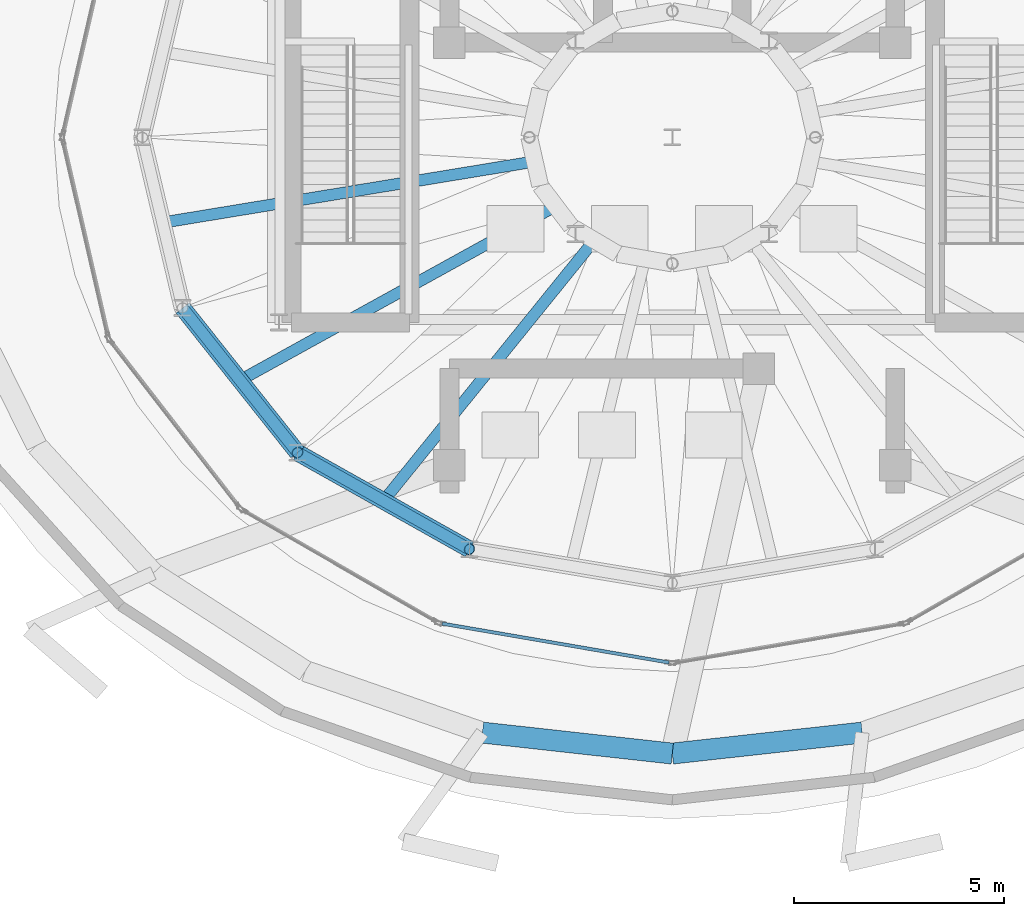
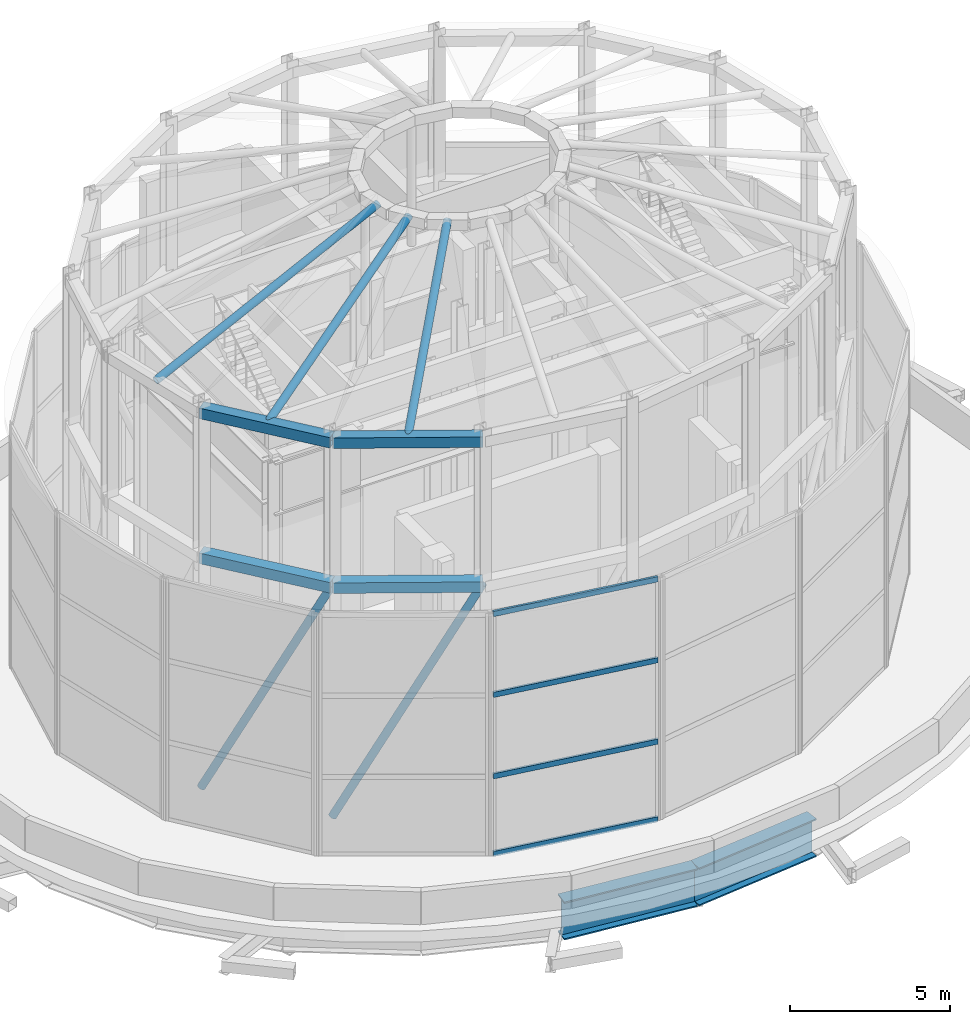
# One storey, part 4 of 22: 9 members, 6 beams, 1 element without a shape of its own.
"""IFC4 building model written with IfcOpenShell, lengths in metres."""

from ifc_helpers import new_model, si_unit, direction, frame, origin, origin_2d, place, context, subcontext, project, spatial, hollow_rectangle, hollow_circle, i_section, extrude, material, layer, layer_set, material_profile, profile_set, type_object, element, aggregate, save


model = new_model("IFC4")

# Units and contexts
model_context = context("Model", 3, precision=1e-05, world=origin(), true_north=direction((0.0, 1.0)))
body_context = subcontext(model_context, "Body", "Model", "MODEL_VIEW")
ifc_project = project(units=[si_unit("LENGTHUNIT", "METRE"), si_unit("AREAUNIT", "SQUARE_METRE"), si_unit("VOLUMEUNIT", "CUBIC_METRE"), si_unit("PLANEANGLEUNIT", "RADIAN"), si_unit("MASSUNIT", "GRAM", prefix="KILO")], contexts=[model_context])

# Site, building, storey
site_placement = place(None, origin())
site = spatial("IfcSite", under=ifc_project, at=site_placement, CompositionType="ELEMENT")
building_placement = place(site_placement, origin())
building = spatial("IfcBuilding", under=site, at=building_placement, Name="Nuhasar Tower", CompositionType="ELEMENT")
storey_placement = place(building_placement, frame((0.0, 0.0, 313.39990234375)))
storey = spatial("IfcBuildingStorey", under=building, at=storey_placement, Name="Roof Drum", CompositionType="ELEMENT", Elevation=313.39990234375)

# Beams
ifc_material_1 = material(Name="Steel S355", Category="steel")
ifc_material_profile_1 = material_profile(ifc_material_1, hollow_rectangle(XDim=0.39990234375, YDim=0.39990234375, WallThickness=0.01611328125, at=origin_2d()), Name="HSS400X400X16")
ifc_profile_set_1 = profile_set([ifc_material_profile_1], Name="Steel S355")
beam_type_1 = type_object("IfcBeamType", Name="BM-CRN-HSS400", PredefinedType="SPANDREL", material=ifc_profile_set_1)
for number, where, z_axis, x_axis, name in (
    (1, (27.35888671875, 22.743896484375, 9.02001953125), (0.621918241488, -0.783082180173, 0.0), (0.783082180173, 0.621918241488, 0.0), "Crown Drum Eave Ring Beam 10"),
    (2, (27.35888671875, 22.743896484375, 14.5400390625), (0.621918241488, -0.783082180173, 0.0), (0.783082180173, 0.621918241488, 0.0), "Crown Drum Top Ring Beam 10"),
):
    element("IfcBeam", number, at=place(storey_placement, frame(where, z_axis=z_axis, x_axis=x_axis)), inside=storey, type_object=beam_type_1, Name=name, PredefinedType="SPANDREL", context=body_context, shape_type="SweptSolid", body=[
        extrude(hollow_rectangle(XDim=0.39990234375, YDim=0.39990234375, WallThickness=0.01611328125, at=origin_2d()), origin(), (0.0, 0.0, 1.0), 4.3916015625),
    ])
for number, where, z_axis, x_axis, name in (
    (3, (30.090087890625, 19.304931640625, 9.02001953125), (0.871720097716, -0.490004154306, 0.0), (0.490004154306, 0.871720097716, 0.0), "Crown Drum Eave Ring Beam 11"),
    (4, (30.090087890625, 19.304931640625, 14.5400390625), (0.871720097716, -0.490004154306, 0.0), (0.490004154306, 0.871720097716, 0.0), "Crown Drum Top Ring Beam 11"),
):
    element("IfcBeam", number, at=place(storey_placement, frame(where, z_axis=z_axis, x_axis=x_axis)), inside=storey, type_object=beam_type_1, Name=name, PredefinedType="SPANDREL", context=body_context, shape_type="SweptSolid", body=[
        extrude(hollow_rectangle(XDim=0.39990234375, YDim=0.39990234375, WallThickness=0.01611328125, at=origin_2d()), origin(), (0.0, 0.0, 1.0), 4.689453125),
    ])
ifc_material_2 = material(Name="Steel S460", Category="steel")
ifc_material_profile_2 = material_profile(ifc_material_2, i_section(OverallWidth=0.5, OverallDepth=1.449951171875, WebThickness=0.028076171875, FlangeThickness=0.050048828125, at=origin_2d()), Name="PG1450X500")
ifc_profile_set_2 = profile_set([ifc_material_profile_2], Name="Steel S460")
beam_type_2 = type_object("IfcBeamType", Name="BM-XFER-PG1450", PredefinedType="USERDEFINED", material=ifc_profile_set_2)
for number, where, z_axis, x_axis, name in (
    (5, (34.48388671875, 12.64892578125, -1.14501953125), (0.993950391063, -0.10982995996, 0.0), (0.10982995996, 0.993950391063, 0.0), "Roof Drum Outer Setback Spandrel 18"),
    (6, (39.0, 12.14990234375, -1.14501953125), (0.993950391063, 0.10982995996, 0.0), (-0.10982995996, 0.993950391063, 0.0), "Roof Drum Outer Setback Spandrel 19"),
):
    element("IfcBeam", number, at=place(storey_placement, frame(where, z_axis=z_axis, x_axis=x_axis)), inside=storey, type_object=beam_type_2, Name=name, ObjectType="GIRDER", PredefinedType="USERDEFINED", context=body_context, shape_type="SweptSolid", body=[
        extrude(i_section(OverallWidth=0.5, OverallDepth=1.449951171875, WebThickness=0.028076171875, FlangeThickness=0.050048828125, at=origin_2d()), origin(), (0.0, 0.0, 1.0), 4.543701171875),
    ])

# Members
ifc_material_profile_3 = material_profile(ifc_material_1, hollow_circle(Radius=0.136474609375, WallThickness=0.0126953125, at=origin_2d()), Name="HSS273.1X12.7")
ifc_profile_set_3 = profile_set([ifc_material_profile_3], Name="Steel S355")
member_type_1 = type_object("IfcMemberType", Name="CRN-DIAG-273", PredefinedType="BRACE", material=ifc_profile_set_3)
member_1_placement = place(storey_placement, frame((27.35888671875, 22.743896484375, 0.2001953125), z_axis=(0.277203977474, -0.349038636516, 0.895170366518), x_axis=(0.783082180173, 0.621918241488, 0.0)))
element("IfcMember", 7, at=member_1_placement, inside=storey, type_object=member_type_1, Name="Crown Drum Frame Brace 10", PredefinedType="BRACE", context=body_context, shape_type="SweptSolid", body=[
    extrude(hollow_circle(Radius=0.136474609375, WallThickness=0.0126953125, at=origin_2d()), origin(), (0.0, 0.0, 1.0), 9.852783203125),
])
member_2_placement = place(storey_placement, frame((30.090087890625, 19.304931640625, 0.2001953125), z_axis=(0.409238918422, -0.230038025573, 0.882953008058), x_axis=(0.490004154306, 0.871720097716, 0.0)))
element("IfcMember", 8, at=member_2_placement, inside=storey, type_object=member_type_1, Name="Crown Drum Frame Brace 11", PredefinedType="BRACE", context=body_context, shape_type="SweptSolid", body=[
    extrude(hollow_circle(Radius=0.136474609375, WallThickness=0.0126953125, at=origin_2d()), origin(), (0.0, 0.0, 1.0), 9.989013671875),
])
ifc_material_profile_4 = material_profile(ifc_material_2, hollow_circle(Radius=0.136474609375, WallThickness=0.0126953125, at=origin_2d()), Name="HSS273.1X12.7")
ifc_profile_set_4 = profile_set([ifc_material_profile_4], Name="Steel S460")
member_type_2 = type_object("IfcMemberType", Name="CRN-RAFTER-273", PredefinedType="RAFTER", material=ifc_profile_set_4)
member_3_placement = place(storey_placement, frame((26.8798828125, 24.77197265625, 14.60009765625), z_axis=(0.943121969736, 0.154958191772, 0.294123968769), x_axis=(-0.162129626352, 0.986769468649, 0.0)))
element("IfcMember", 9, at=member_3_placement, inside=storey, type_object=member_type_2, Name="Crown Dome Radial Bearing Rafter 09", PredefinedType="RAFTER", context=body_context, shape_type="SweptSolid", body=[
    extrude(hollow_circle(Radius=0.136474609375, WallThickness=0.0126953125, at=origin_2d()), origin(), (0.0, 0.0, 1.0), 9.3837890625),
])
member_4_placement = place(storey_placement, frame((28.72412109375, 21.02392578125, 14.60009765625), z_axis=(0.833306491069, 0.460037678234, 0.30653813229), x_axis=(-0.483304752513, 0.875452178134, 0.0)))
element("IfcMember", 10, at=member_4_placement, inside=storey, type_object=member_type_2, Name="Crown Dome Radial Bearing Rafter 10", PredefinedType="RAFTER", context=body_context, shape_type="SweptSolid", body=[
    extrude(hollow_circle(Radius=0.136474609375, WallThickness=0.0126953125, at=origin_2d()), origin(), (0.0, 0.0, 1.0), 9.00390625),
])
member_5_placement = place(storey_placement, frame((32.134033203125, 18.156005859375, 14.60009765625), z_axis=(0.594297794312, 0.734673983978, 0.327206767871), x_axis=(-0.777471647224, 0.628917989696, 0.0)))
element("IfcMember", 11, at=member_5_placement, inside=storey, type_object=member_type_2, Name="Crown Dome Radial Bearing Rafter 11", PredefinedType="RAFTER", context=body_context, shape_type="SweptSolid", body=[
    extrude(hollow_circle(Radius=0.136474609375, WallThickness=0.0126953125, at=origin_2d()), origin(), (0.0, 0.0, 1.0), 8.43505859375),
])

# Curtain wall, members
ifc_material_3 = material(Name="Aluminium 6063-T6", Category="aluminium")
ifc_layer = layer(ifc_material_3, 0.219970703125)
ifc_layer_set = layer_set([ifc_layer], Name="Aluminium 6063-T6")
curtain_wall_type = type_object("IfcCurtainWallType", Name="CW-CROWN", PredefinedType="NOTDEFINED", material=ifc_layer_set)
curtain_wall_placement = place(storey_placement, origin())
curtain_wall = element("IfcCurtainWall", 12, at=curtain_wall_placement, inside=storey, type_object=curtain_wall_type, Name="Crown Lantern Curtain Wall 12", PredefinedType="NOTDEFINED")
ifc_material_profile_5 = material_profile(ifc_material_3, hollow_rectangle(XDim=0.080078125, YDim=0.199951171875, WallThickness=0.00439453125, at=origin_2d()), Name="CWT-7")
ifc_profile_set_5 = profile_set([ifc_material_profile_5], Name="Aluminium 6063-T6")
member_type_3 = type_object("IfcMemberType", Name="CW-TRN-S7", PredefinedType="USERDEFINED", material=ifc_profile_set_5)
member_6_placement = place(storey_placement, frame((33.52978515625, 15.238525390625, 0.0400390625), z_axis=(0.985597397755, -0.169108750627, 0.0), x_axis=(0.169108750627, 0.985597397755, 0.0)))
member_6 = element("IfcMember", 13, at=member_6_placement, type_object=member_type_3, Name="CW-CR transom 1.1", ObjectType="TRANSOM", PredefinedType="USERDEFINED", context=body_context, shape_type="SweptSolid", body=[
    extrude(hollow_rectangle(XDim=0.080078125, YDim=0.199951171875, WallThickness=0.00439453125, at=origin_2d()), origin(), (0.0, 0.0, 1.0), 5.47021484375),
])
member_7_placement = place(storey_placement, frame((33.52978515625, 15.238525390625, 3.0), z_axis=(0.985597397755, -0.169108750627, 0.0), x_axis=(0.169108750627, 0.985597397755, 0.0)))
member_7 = element("IfcMember", 14, at=member_7_placement, type_object=member_type_3, Name="CW-CR transom 1.2", ObjectType="TRANSOM", PredefinedType="USERDEFINED", context=body_context, shape_type="SweptSolid", body=[
    extrude(hollow_rectangle(XDim=0.080078125, YDim=0.199951171875, WallThickness=0.00439453125, at=origin_2d()), origin(), (0.0, 0.0, 1.0), 5.47021484375),
])
member_8_placement = place(storey_placement, frame((33.52978515625, 15.238525390625, 6.10009765625), z_axis=(0.985597397755, -0.169108750627, 0.0), x_axis=(0.169108750627, 0.985597397755, 0.0)))
member_8 = element("IfcMember", 15, at=member_8_placement, type_object=member_type_3, Name="CW-CR transom 1.3", ObjectType="TRANSOM", PredefinedType="USERDEFINED", context=body_context, shape_type="SweptSolid", body=[
    extrude(hollow_rectangle(XDim=0.080078125, YDim=0.199951171875, WallThickness=0.00439453125, at=origin_2d()), origin(), (0.0, 0.0, 1.0), 5.47021484375),
])
member_9_placement = place(storey_placement, frame((33.52978515625, 15.238525390625, 9.18017578125), z_axis=(0.985597397755, -0.169108750627, 0.0), x_axis=(0.169108750627, 0.985597397755, 0.0)))
member_9 = element("IfcMember", 16, at=member_9_placement, type_object=member_type_3, Name="CW-CR transom 1.4", ObjectType="TRANSOM", PredefinedType="USERDEFINED", context=body_context, shape_type="SweptSolid", body=[
    extrude(hollow_rectangle(XDim=0.080078125, YDim=0.199951171875, WallThickness=0.00439453125, at=origin_2d()), origin(), (0.0, 0.0, 1.0), 5.47021484375),
])
aggregate(curtain_wall, [member_6, member_7, member_8, member_9])

save(model, "model.ifc")
